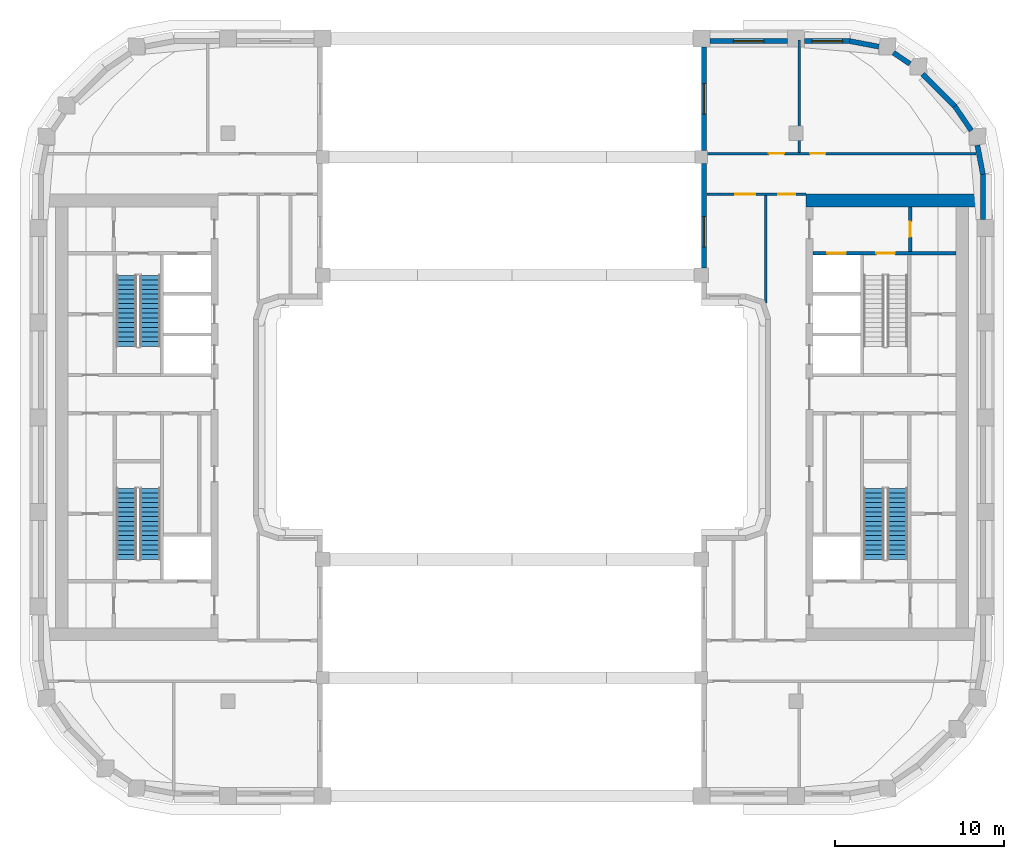
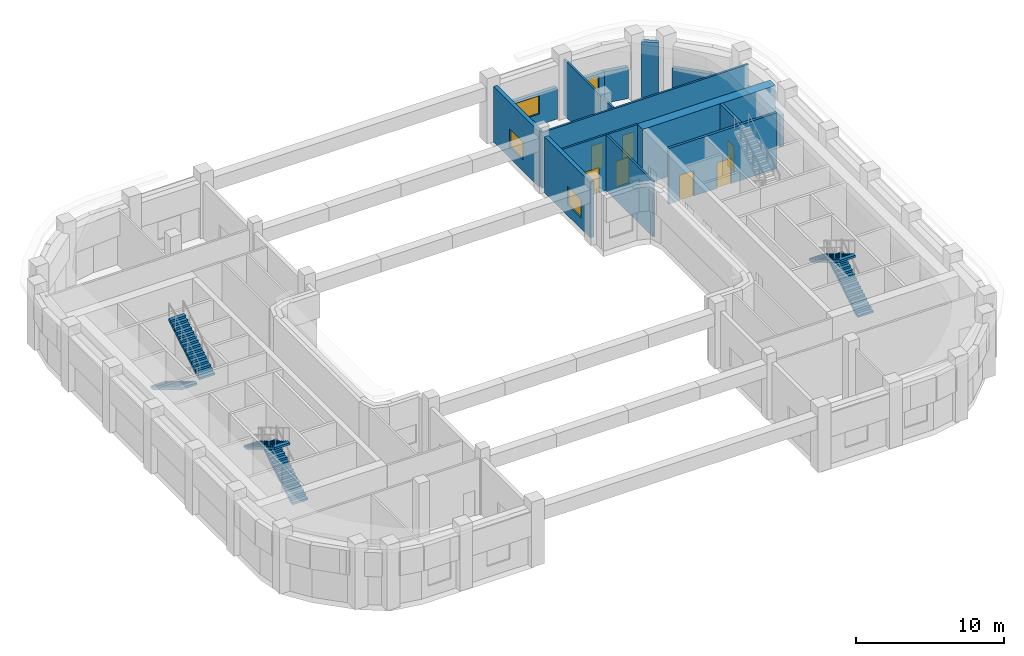
# One storey, part 6 of 14: 17 walls, 7 doors, 6 stair flights, 4 windows, 11 openings, 3 elements without a shape of their own.
"""IFC4 building model written with IfcOpenShell, lengths in metres."""

import ifcopenshell
import ifcopenshell.guid

model = None  # the IFC model being written
_history = None  # IfcOwnerHistory: only IFC2X3 demands one
_inside = {}  # id of a spatial element -> (the spatial element, [elements in it])
_under = {}  # id of a project, library or spatial element -> (it, [spatial elements below it])
_declared = {}  # id of a project -> (the project, [libraries it declares])
_typed = {}  # id of a type object -> (the type object, [elements of that type])
_made_of = {}  # id of a material, layer set ... -> (it, [elements and type objects made of it])


def new_model(schema):
    """Start an empty IFC model of exactly this schema.

    Asked for "IFC4X3", IfcOpenShell would pick the latest addendum, in which some entities
    have other attributes; the version numbers below select the first issue.
    IFC2X3 requires an IfcOwnerHistory on every rooted entity: one is made here for all.
    """
    global model, _history
    if schema == "IFC4X3":
        model = ifcopenshell.file(schema_version=(4, 3, 0, 0))
    else:
        model = ifcopenshell.file(schema=schema)
    _inside.clear()
    _under.clear()
    _declared.clear()
    _typed.clear()
    _made_of.clear()
    _history = None
    if model.schema == "IFC2X3":
        org = make("IfcOrganization", Name="unknown")
        user = make(
            "IfcPersonAndOrganization",
            ThePerson=make("IfcPerson", FamilyName="unknown"),
            TheOrganization=org,
        )
        app = make(
            "IfcApplication",
            ApplicationDeveloper=org,
            Version="unknown",
            ApplicationFullName="unknown",
            ApplicationIdentifier="unknown",
        )
        _history = make(
            "IfcOwnerHistory",
            OwningUser=user,
            OwningApplication=app,
            ChangeAction="ADDED",
            CreationDate=0,
        )
    return model


def make(cls, **values):
    """One entity of the class cls with the attributes given. An attribute that is None is left unset."""
    return model.create_entity(
        cls, **{name: value for name, value in values.items() if value is not None}
    )


def rooted(cls, **values):
    """An entity with a GlobalId (a new one), such as an element, a storey or a relation."""
    return make(cls, GlobalId=ifcopenshell.guid.new(), OwnerHistory=_history, **values)


def si_unit(unit_type, name, prefix=None):
    """IfcSIUnit, for example si_unit("LENGTHUNIT", "METRE", prefix="MILLI")."""
    return make("IfcSIUnit", UnitType=unit_type, Prefix=prefix, Name=name)


def assignment(units):
    """IfcUnitAssignment: the units of a project."""
    return None if units is None else make("IfcUnitAssignment", Units=units)


def point(xyz):
    """IfcCartesianPoint."""
    return None if xyz is None else make("IfcCartesianPoint", Coordinates=xyz)


def direction(xyz):
    """IfcDirection."""
    return None if xyz is None else make("IfcDirection", DirectionRatios=xyz)


def frame(location, z_axis=None, x_axis=None):
    """IfcAxis2Placement3D, a coordinate frame: its origin and axes. An axis left out is left unset."""
    return make(
        "IfcAxis2Placement3D",
        Location=point(location),
        Axis=direction(z_axis),
        RefDirection=direction(x_axis),
    )


def frame_2d(location, x_axis=None):
    """IfcAxis2Placement2D, a coordinate frame in the plane: its origin and x axis."""
    return make(
        "IfcAxis2Placement2D", Location=point(location), RefDirection=direction(x_axis)
    )


def origin():
    """The frame at (0, 0, 0) with its axes left unset."""
    return frame((0.0, 0.0, 0.0))


def place(relative_to, where):
    """IfcLocalPlacement: puts the frame where relative to a parent placement (None: the world)."""
    return make(
        "IfcLocalPlacement", PlacementRelTo=relative_to, RelativePlacement=where
    )


def context(
    kind, dimensions, precision=None, world=None, true_north=None, identifier=None
):
    """IfcGeometricRepresentationContext, for example the 3D "Model" context."""
    return make(
        "IfcGeometricRepresentationContext",
        ContextIdentifier=identifier,
        ContextType=kind,
        CoordinateSpaceDimension=dimensions,
        Precision=precision,
        WorldCoordinateSystem=world,
        TrueNorth=true_north,
    )


def subcontext(parent, identifier, kind, view, scale=None):
    """IfcGeometricRepresentationSubContext, for example "Body" below "Model"."""
    return make(
        "IfcGeometricRepresentationSubContext",
        ContextIdentifier=identifier,
        ContextType=kind,
        ParentContext=parent,
        TargetScale=scale,
        TargetView=view,
    )


def project(units=None, contexts=None):
    """IfcProject with its units and contexts."""
    return rooted(
        "IfcProject",
        Name="project",
        RepresentationContexts=contexts,
        UnitsInContext=assignment(units),
    )


def spatial(cls, under=None, at=None, **own):
    """A site, building, storey or space (cls), placed at a placement, below another one or the project."""
    s = rooted(cls, ObjectPlacement=at, **own)
    if under is not None:
        _under.setdefault(under.id(), (under, []))[1].append(s)
    return s


def polyline(points):
    """IfcPolyline through the points."""
    return make("IfcPolyline", Points=[point(p) for p in points])


def profile(cls, at=None, kind="AREA", **sizes):
    """A parametric profile (cls). Its sizes go by their IFC names, for example OverallWidth=200.0."""
    return make(cls, ProfileType=kind, Position=at, **sizes)


def rectangle(**sizes):
    """IfcRectangleProfileDef."""
    return profile("IfcRectangleProfileDef", **sizes)


def outline(outer, holes=None, kind="AREA"):
    """IfcArbitraryClosedProfileDef: a profile drawn as a closed curve; with holes, ...WithVoids."""
    if holes is None:
        return make("IfcArbitraryClosedProfileDef", ProfileType=kind, OuterCurve=outer)
    return make(
        "IfcArbitraryProfileDefWithVoids",
        ProfileType=kind,
        OuterCurve=outer,
        InnerCurves=holes,
    )


def extrude(swept, where, along, depth):
    """IfcExtrudedAreaSolid: the profile swept, set in the frame where, extruded along a direction by depth."""
    return make(
        "IfcExtrudedAreaSolid",
        SweptArea=swept,
        Position=where,
        ExtrudedDirection=direction(along),
        Depth=depth,
    )


def shape(context_of_items, identifier, shape_type, items):
    """IfcShapeRepresentation: the items that make up one representation, for example the "Body"."""
    return make(
        "IfcShapeRepresentation",
        ContextOfItems=context_of_items,
        RepresentationIdentifier=identifier,
        RepresentationType=shape_type,
        Items=items,
    )


def material(Name=None, Category=None):
    """IfcMaterial."""
    return make("IfcMaterial", Name=Name, Category=Category)


def layer(
    of_material, thickness, ventilated=None, Name=None, Category=None, Priority=None
):
    """IfcMaterialLayer: one layer of a wall or slab, of a material (None: an air gap)."""
    return make(
        "IfcMaterialLayer",
        Material=of_material,
        LayerThickness=thickness,
        IsVentilated=ventilated,
        Name=Name,
        Category=Category,
        Priority=Priority,
    )


def layer_set(layers, Name=None):
    """IfcMaterialLayerSet."""
    return make("IfcMaterialLayerSet", MaterialLayers=layers, LayerSetName=Name)


def made_of(thing, what):
    """Note that an element or type object is made of a material, layer set ...; save() writes the relation."""
    if what is not None:
        _made_of.setdefault(what.id(), (what, []))[1].append(thing)
    return thing


def type_object(cls, material=None, **own):
    """A type object (cls), such as IfcWallType, which elements share."""
    return made_of(rooted(cls, **own), material)


def element(
    cls,
    number,
    at=None,
    inside=None,
    cuts=None,
    type_object=None,
    material=None,
    context=None,
    identifier="Body",
    shape_type=None,
    held_by="IfcProductDefinitionShape",
    body=None,
    shapes=None,
    **own,
):
    """One element of the class cls, such as IfcWall. Its Tag is "e" and its number.

    at: its placement. inside: the storey or other place that contains it. cuts: it is an
    opening in that element (IfcRelVoidsElement). A single representation is given by context,
    identifier, shape_type and body (its items); several are given by shapes. held_by: the class
    of the entity that holds the representations. save() writes the other relations.
    """
    e = rooted(cls, Tag="e%d" % number, ObjectPlacement=at, **own)
    if body is not None:
        shapes = [shape(context, identifier, shape_type, body)]
    if shapes is not None:
        e.Representation = make(held_by, Representations=shapes)
    if inside is not None:
        _inside.setdefault(inside.id(), (inside, []))[1].append(e)
    if cuts is not None:
        rooted(
            "IfcRelVoidsElement", RelatingBuildingElement=cuts, RelatedOpeningElement=e
        )
    if type_object is not None:
        _typed.setdefault(type_object.id(), (type_object, []))[1].append(e)
    return made_of(e, material)


def fill(opening, filler):
    """IfcRelFillsElement: the door or window that sits in an opening."""
    return rooted(
        "IfcRelFillsElement",
        RelatingOpeningElement=opening,
        RelatedBuildingElement=filler,
    )


def aggregate(whole, parts):
    """IfcRelAggregates: a whole, such as a stair, and the parts it consists of."""
    return rooted("IfcRelAggregates", RelatingObject=whole, RelatedObjects=parts)


def save(model, path):
    """Write the relations noted so far, then the file.

    IfcRelAggregates (storeys below a building ...), IfcRelContainedInSpatialStructure (elements
    in a storey), IfcRelDefinesByType, IfcRelAssociatesMaterial and IfcRelDeclares: one each for
    every whole, place, type object, material and project.
    """
    for whole, parts in _under.values():
        aggregate(whole, parts)
    for where, things in _inside.values():
        rooted(
            "IfcRelContainedInSpatialStructure",
            RelatedElements=things,
            RelatingStructure=where,
        )
    for kind, things in _typed.values():
        rooted("IfcRelDefinesByType", RelatedObjects=things, RelatingType=kind)
    for what, things in _made_of.values():
        rooted("IfcRelAssociatesMaterial", RelatedObjects=things, RelatingMaterial=what)
    for by, libraries in _declared.values():
        rooted("IfcRelDeclares", RelatingContext=by, RelatedDefinitions=libraries)
    model.write(path)


model = new_model("IFC4")

# Units and contexts
model_context = context("Model", 3, precision=1e-05, world=origin(), true_north=direction((0.0, 1.0)))
body_context = subcontext(model_context, "Body", "Model", "MODEL_VIEW")
ifc_project = project(units=[si_unit("LENGTHUNIT", "METRE"), si_unit("AREAUNIT", "SQUARE_METRE"), si_unit("VOLUMEUNIT", "CUBIC_METRE"), si_unit("PLANEANGLEUNIT", "RADIAN"), si_unit("MASSUNIT", "GRAM", prefix="KILO")], contexts=[model_context])

# Site, building, storey
site_placement = place(None, origin())
site = spatial("IfcSite", under=ifc_project, at=site_placement, CompositionType="ELEMENT")
building_placement = place(site_placement, origin())
building = spatial("IfcBuilding", under=site, at=building_placement, Name="Kiln Ring Residences", CompositionType="ELEMENT")
storey_placement = place(building_placement, frame((0.0, 0.0, 183.5)))
storey = spatial("IfcBuildingStorey", under=building, at=storey_placement, Name="L47", CompositionType="ELEMENT", Elevation=183.5)

# Wall, opening, door
ifc_material_1 = material(Name="Gypsum board on steel studs", Category="steel")
ifc_layer_1 = layer(ifc_material_1, 0.199951171875)
ifc_layer_set_1 = layer_set([ifc_layer_1], Name="CORE-PARTITION-200")
wall_type_1 = type_object("IfcWallType", Name="CORE-PARTITION-200", PredefinedType="PARTITIONING", material=ifc_layer_set_1)
wall_1_placement = place(storey_placement, frame((23.550048828125, 9.800048828125, 0.0), z_axis=(0.0, 0.0, 1.0), x_axis=(0.0, 1.0, 0.0)))
wall_1 = element("IfcWall", 1, at=wall_1_placement, inside=storey, type_object=wall_type_1, Name="Core partition east L47 4", PredefinedType="PARTITIONING", context=body_context, shape_type="SweptSolid", body=[
    extrude(rectangle(XDim=2.64990234375, YDim=0.199951171875, at=frame_2d((1.324951171875, 0.0))), origin(), (0.0, 0.0, 1.0), 4.60009765625),
])
opening_1_placement = place(wall_1_placement, frame((0.875, 0.0, 0.0)))
opening_1 = element("IfcOpeningElement", 2, at=opening_1_placement, cuts=wall_1, Name="Opening L47-CE09", PredefinedType="OPENING", context=body_context, shape_type="SweptSolid", body=[
    extrude(rectangle(XDim=0.89990234375, YDim=2.10009765625, at=frame_2d((0.449951171875, 1.050048828125))), frame((0.0, 0.10986328125, 0.0), z_axis=(0.0, -1.0, 0.0), x_axis=(1.0, 0.0, 0.0)), (0.0, 0.0, 1.0), 0.219970703125),
])
ifc_material_2 = material(Name="Steel door leaf", Category="steel")
door_type_1 = type_object("IfcDoorType", Name="CORE-DOOR-ROOM", OperationType="SINGLE_SWING_LEFT", PredefinedType="DOOR", material=ifc_material_2)
door_1_placement = place(opening_1_placement, origin())
door_1 = element("IfcDoor", 3, at=door_1_placement, inside=storey, type_object=door_type_1, Name="Fire riser room L47-CE09", OperationType="SINGLE_SWING_RIGHT", OverallHeight=2.10009765625, OverallWidth=0.89990234375, PredefinedType="DOOR", context=body_context, shape_type="SweptSolid", body=[
    extrude(rectangle(XDim=0.89990234375, YDim=2.10009765625, at=frame_2d((0.449951171875, 1.050048828125))), frame((0.0, 0.02490234375, 0.0), z_axis=(0.0, -1.0, 0.0), x_axis=(1.0, 0.0, 0.0)), (0.0, 0.0, 1.0), 0.050048828125),
])
fill(opening_1, door_1)

# Wall, openings, doors
ifc_material_3 = material(Name="Concrete C40/50", Category="concrete")
ifc_layer_2 = layer(ifc_material_3, 0.199951171875)
ifc_layer_set_2 = layer_set([ifc_layer_2], Name="CORE-WALL-RC200")
wall_type_2 = type_object("IfcWallType", Name="CORE-WALL-RC200", PredefinedType="SHEAR", material=ifc_layer_set_2)
wall_2_placement = place(storey_placement, frame((17.800048828125, 9.699951171875, 0.0), z_axis=(0.0, 0.0, 1.0), x_axis=(1.0, 0.0, 0.0)))
wall_2 = element("IfcWall", 4, at=wall_2_placement, inside=storey, type_object=wall_type_2, Name="Core wall east L47 9", PredefinedType="SHEAR", context=body_context, shape_type="SweptSolid", body=[
    extrude(rectangle(XDim=8.449951171875, YDim=0.199951171875, at=frame_2d((4.22509765625, 0.0))), origin(), (0.0, 0.0, 1.0), 4.60009765625),
])
opening_2_placement = place(wall_2_placement, frame((0.85009765625, 0.0, 0.0)))
opening_2 = element("IfcOpeningElement", 5, at=opening_2_placement, cuts=wall_2, Name="Opening L47-CE06", PredefinedType="OPENING", context=body_context, shape_type="SweptSolid", body=[
    extrude(rectangle(XDim=1.10009765625, YDim=2.10009765625, at=frame_2d((0.550048828125, 1.050048828125))), frame((0.0, 0.10986328125, 0.0), z_axis=(0.0, -1.0, 0.0), x_axis=(1.0, 0.0, 0.0)), (0.0, 0.0, 1.0), 0.219970703125),
])
opening_3_placement = place(wall_2_placement, frame((3.75, 0.0, 0.0)))
opening_3 = element("IfcOpeningElement", 6, at=opening_3_placement, cuts=wall_2, Name="Opening L47-CE11", PredefinedType="OPENING", context=body_context, shape_type="SweptSolid", body=[
    extrude(rectangle(XDim=1.10009765625, YDim=2.10009765625, at=frame_2d((0.550048828125, 1.050048828125))), frame((0.0, 0.10986328125, 0.0), z_axis=(0.0, -1.0, 0.0), x_axis=(1.0, 0.0, 0.0)), (0.0, 0.0, 1.0), 0.219970703125),
])
ifc_material_4 = material(Name="Steel door leaf", Category="steel")
door_type_2 = type_object("IfcDoorType", Name="CORE-DOOR-LD", OperationType="DOUBLE_DOOR_SLIDING", PredefinedType="DOOR", material=ifc_material_4)
door_2_placement = place(opening_2_placement, origin())
door_2 = element("IfcDoor", 7, at=door_2_placement, inside=storey, type_object=door_type_2, Name="LD E-FF L47-CE06", OperationType="DOUBLE_DOOR_SLIDING", OverallHeight=2.10009765625, OverallWidth=1.10009765625, PredefinedType="DOOR", context=body_context, shape_type="SweptSolid", body=[
    extrude(rectangle(XDim=1.10009765625, YDim=2.10009765625, at=frame_2d((0.550048828125, 1.050048828125))), frame((0.0, 0.02490234375, 0.0), z_axis=(0.0, -1.0, 0.0), x_axis=(1.0, 0.0, 0.0)), (0.0, 0.0, 1.0), 0.050048828125),
])
fill(opening_2, door_2)
ifc_material_5 = material(Name="Steel door leaf", Category="steel")
door_type_3 = type_object("IfcDoorType", Name="CORE-DOOR-STAIR", OperationType="SINGLE_SWING_LEFT", PredefinedType="DOOR", material=ifc_material_5)
door_3_placement = place(opening_3_placement, origin())
door_3 = element("IfcDoor", 8, at=door_3_placement, inside=storey, type_object=door_type_3, Name="Stair E-STN L47-CE11", OperationType="SINGLE_SWING_RIGHT", OverallHeight=2.10009765625, OverallWidth=1.10009765625, PredefinedType="DOOR", context=body_context, shape_type="SweptSolid", body=[
    extrude(rectangle(XDim=1.10009765625, YDim=2.10009765625, at=frame_2d((0.550048828125, 1.050048828125))), frame((0.0, 0.02490234375, 0.0), z_axis=(0.0, -1.0, 0.0), x_axis=(1.0, 0.0, 0.0)), (0.0, 0.0, 1.0), 0.050048828125),
])
fill(opening_3, door_3)

# Walls
ifc_material_6 = material(Name="Concrete C60/75", Category="concrete")
ifc_layer_3 = layer(ifc_material_6, 0.75)
ifc_layer_set_3 = layer_set([ifc_layer_3], Name="CORE-WALL-RC750")
wall_type_3 = type_object("IfcWallType", Name="CORE-WALL-RC750", PredefinedType="SHEAR", material=ifc_layer_set_3)
wall_3_placement = place(storey_placement, frame((17.39990234375, 12.824951171875, 0.0), z_axis=(0.0, 0.0, 1.0), x_axis=(1.0, 0.0, 0.0)))
element("IfcWall", 9, at=wall_3_placement, inside=storey, type_object=wall_type_3, Name="Core wall east L47 4", PredefinedType="SHEAR", context=body_context, shape_type="SweptSolid", body=[
    extrude(rectangle(XDim=10.400146484375, YDim=0.75, at=frame_2d((5.2001953125, 0.0))), origin(), (0.0, 0.0, 1.0), 4.60009765625),
])
ifc_material_7 = material(Name="Brick masonry, dark clay brick", Category="masonry")
ifc_layer_4 = layer(ifc_material_7, 0.300048828125)
ifc_layer_set_4 = layer_set([ifc_layer_4], Name="EW-300 BRICK WALL")
wall_type_4 = type_object("IfcWallType", Name="EW-300 BRICK WALL", PredefinedType="SOLIDWALL", material=ifc_layer_set_4)
wall_4_placement = place(storey_placement, frame((27.85009765625, 11.699951171875, 0.0), z_axis=(0.0, 0.0, 1.0), x_axis=(0.0, 1.0, 0.0)))
element("IfcWall", 10, at=wall_4_placement, inside=storey, type_object=wall_type_4, Name="Facade wall L47 46", PredefinedType="SOLIDWALL", context=body_context, shape_type="SweptSolid", body=[
    extrude(rectangle(XDim=2.699951171875, YDim=0.300048828125, at=frame_2d((1.35009765625, 0.0))), origin(), (0.0, 0.0, 1.0), 2.60009765625),
])
for number, where, z_axis, x_axis, name in (
    (11, (27.8525390625, 14.371826171875, 0.0), (0.0, 0.0, 1.0), (-0.187259034321, 0.982310569049, 0.0), "Facade wall L47 47"),
    (12, (27.166015625, 16.96044921875, 0.0), (0.0, 0.0, 1.0), (-0.562089443061, 0.82707645233, 0.0), "Facade wall L47 48"),
):
    element("IfcWall", number, at=place(storey_placement, frame(where, z_axis=z_axis, x_axis=x_axis)), inside=storey, type_object=wall_type_4, Name=name, PredefinedType="SOLIDWALL", context=body_context, shape_type="SweptSolid", body=[
        extrude(rectangle(XDim=1.756103515625, YDim=0.300048828125, at=frame_2d((0.8779296875, 0.0))), origin(), (0.0, 0.0, 1.0), 2.60009765625),
    ])
wall_5_placement = place(storey_placement, frame((26.19677734375, 18.390869140625, 0.0), z_axis=(0.0, 0.0, 1.0), x_axis=(-0.707061571201, 0.707151988282, 0.0)))
element("IfcWall", 13, at=wall_5_placement, inside=storey, type_object=wall_type_4, Name="Facade wall L47 49", PredefinedType="SOLIDWALL", context=body_context, shape_type="SweptSolid", body=[
    extrude(rectangle(XDim=2.7001953125, YDim=0.300048828125, at=frame_2d((1.35009765625, 0.0))), origin(), (0.0, 0.0, 1.0), 2.60009765625),
])
wall_6_placement = place(storey_placement, frame((23.533935546875, 20.904296875, 0.0), z_axis=(0.0, 0.0, 1.0), x_axis=(-0.827103906596, 0.56204904385, 0.0)))
element("IfcWall", 14, at=wall_6_placement, inside=storey, type_object=wall_type_4, Name="Facade wall L47 50", PredefinedType="SOLIDWALL", context=body_context, shape_type="SweptSolid", body=[
    extrude(rectangle(XDim=1.17724609375, YDim=0.300048828125, at=frame_2d((0.588623046875, 0.0))), origin(), (0.0, 0.0, 1.0), 4.60009765625),
])
wall_7_placement = place(storey_placement, frame((21.697021484375, 21.923583984375, 0.0), z_axis=(0.0, 0.0, 1.0), x_axis=(-0.982284988433, 0.187393173565, 0.0)))
element("IfcWall", 15, at=wall_7_placement, inside=storey, type_object=wall_type_4, Name="Facade wall L47 51", PredefinedType="SOLIDWALL", context=body_context, shape_type="SweptSolid", body=[
    extrude(rectangle(XDim=1.756103515625, YDim=0.300048828125, at=frame_2d((0.8779296875, 0.0))), origin(), (0.0, 0.0, 1.0), 2.60009765625),
])

# Wall, opening, window
wall_8_placement = place(storey_placement, frame((20.0, 22.25, 0.0), z_axis=(0.0, 0.0, 1.0), x_axis=(-1.0, 0.0, 0.0)))
wall_8 = element("IfcWall", 16, at=wall_8_placement, inside=storey, type_object=wall_type_4, Name="Facade wall L47 52", PredefinedType="SOLIDWALL", context=body_context, shape_type="SweptSolid", body=[
    extrude(rectangle(XDim=2.699951171875, YDim=0.300048828125, at=frame_2d((1.35009765625, 0.0))), origin(), (0.0, 0.0, 1.0), 2.60009765625),
])
opening_4_placement = place(wall_8_placement, frame((0.449951171875, 0.0, 0.89990234375)))
opening_4 = element("IfcOpeningElement", 17, at=opening_4_placement, cuts=wall_8, Name="Opening LV1", PredefinedType="OPENING", context=body_context, shape_type="SweptSolid", body=[
    extrude(rectangle(XDim=1.800048828125, YDim=1.5, at=frame_2d((0.89990234375, 0.75))), frame((0.0, 0.159912109375, 0.0), z_axis=(0.0, -1.0, 0.0), x_axis=(1.0, 0.0, 0.0)), (0.0, 0.0, 1.0), 0.320068359375),
])
ifc_material_8 = material(Name="Aluminium louvre", Category="aluminium")
window_type = type_object("IfcWindowType", Name="LOUVRED VENT 1800 x 1500", PartitioningType="SINGLE_PANEL", PredefinedType="WINDOW", material=ifc_material_8)
window_1_placement = place(opening_4_placement, origin())
window_1 = element("IfcWindow", 18, at=window_1_placement, inside=storey, type_object=window_type, Name="Louvred vent L47 13", OverallHeight=1.5, OverallWidth=1.800048828125, PartitioningType="SINGLE_PANEL", PredefinedType="WINDOW", context=body_context, shape_type="SweptSolid", body=[
    extrude(rectangle(XDim=1.800048828125, YDim=1.5, at=frame_2d((0.89990234375, 0.75))), frame((0.0, 0.030029296875, 0.0), z_axis=(0.0, -1.0, 0.0), x_axis=(1.0, 0.0, 0.0)), (0.0, 0.0, 1.0), 0.06005859375),
])
fill(opening_4, window_1)

wall_9_placement = place(storey_placement, frame((16.300048828125, 22.25, 0.0), z_axis=(0.0, 0.0, 1.0), x_axis=(-1.0, 0.0, 0.0)))
wall_9 = element("IfcWall", 19, at=wall_9_placement, inside=storey, type_object=wall_type_4, Name="Facade wall L47 53", PredefinedType="SOLIDWALL", context=body_context, shape_type="SweptSolid", body=[
    extrude(rectangle(XDim=4.60009765625, YDim=0.300048828125, at=frame_2d((2.300048828125, 0.0))), origin(), (0.0, 0.0, 1.0), 2.60009765625),
])
opening_5_placement = place(wall_9_placement, frame((1.39990234375, 0.0, 0.89990234375)))
opening_5 = element("IfcOpeningElement", 20, at=opening_5_placement, cuts=wall_9, Name="Opening LV1", PredefinedType="OPENING", context=body_context, shape_type="SweptSolid", body=[
    extrude(rectangle(XDim=1.800048828125, YDim=1.5, at=frame_2d((0.89990234375, 0.75))), frame((0.0, 0.159912109375, 0.0), z_axis=(0.0, -1.0, 0.0), x_axis=(1.0, 0.0, 0.0)), (0.0, 0.0, 1.0), 0.320068359375),
])
window_2_placement = place(opening_5_placement, origin())
window_2 = element("IfcWindow", 21, at=window_2_placement, inside=storey, type_object=window_type, Name="Louvred vent L47 14", OverallHeight=1.5, OverallWidth=1.800048828125, PartitioningType="SINGLE_PANEL", PredefinedType="WINDOW", context=body_context, shape_type="SweptSolid", body=[
    extrude(rectangle(XDim=1.800048828125, YDim=1.5, at=frame_2d((0.89990234375, 0.75))), frame((0.0, 0.030029296875, 0.0), z_axis=(0.0, -1.0, 0.0), x_axis=(1.0, 0.0, 0.0)), (0.0, 0.0, 1.0), 0.06005859375),
])
fill(opening_5, window_2)

wall_10_placement = place(storey_placement, frame((11.35009765625, 21.89990234375, 0.0), z_axis=(0.0, 0.0, 1.0), x_axis=(0.0, -1.0, 0.0)))
wall_10 = element("IfcWall", 22, at=wall_10_placement, inside=storey, type_object=wall_type_4, Name="Facade wall L47 54", PredefinedType="SOLIDWALL", context=body_context, shape_type="SweptSolid", body=[
    extrude(rectangle(XDim=6.125, YDim=0.300048828125, at=frame_2d((3.0625, 0.0))), origin(), (0.0, 0.0, 1.0), 4.60009765625),
])
opening_6_placement = place(wall_10_placement, frame((2.16259765625, 0.0, 0.89990234375)))
opening_6 = element("IfcOpeningElement", 23, at=opening_6_placement, cuts=wall_10, Name="Opening LV1", PredefinedType="OPENING", context=body_context, shape_type="SweptSolid", body=[
    extrude(rectangle(XDim=1.800048828125, YDim=1.5, at=frame_2d((0.89990234375, 0.75))), frame((0.0, 0.159912109375, 0.0), z_axis=(0.0, -1.0, 0.0), x_axis=(1.0, 0.0, 0.0)), (0.0, 0.0, 1.0), 0.320068359375),
])
window_3_placement = place(opening_6_placement, origin())
window_3 = element("IfcWindow", 24, at=window_3_placement, inside=storey, type_object=window_type, Name="Louvred vent L47 15", OverallHeight=1.5, OverallWidth=1.800048828125, PartitioningType="SINGLE_PANEL", PredefinedType="WINDOW", context=body_context, shape_type="SweptSolid", body=[
    extrude(rectangle(XDim=1.800048828125, YDim=1.5, at=frame_2d((0.89990234375, 0.75))), frame((0.0, 0.030029296875, 0.0), z_axis=(0.0, -1.0, 0.0), x_axis=(1.0, 0.0, 0.0)), (0.0, 0.0, 1.0), 0.06005859375),
])
fill(opening_6, window_3)

wall_11_placement = place(storey_placement, frame((11.35009765625, 15.02490234375, 0.0), z_axis=(0.0, 0.0, 1.0), x_axis=(0.0, -1.0, 0.0)))
wall_11 = element("IfcWall", 25, at=wall_11_placement, inside=storey, type_object=wall_type_4, Name="Facade wall L47 55", PredefinedType="SOLIDWALL", context=body_context, shape_type="SweptSolid", body=[
    extrude(rectangle(XDim=6.199951171875, YDim=0.300048828125, at=frame_2d((3.10009765625, 0.0))), origin(), (0.0, 0.0, 1.0), 4.60009765625),
])
opening_7_placement = place(wall_11_placement, frame((3.14990234375, 0.0, 0.89990234375)))
opening_7 = element("IfcOpeningElement", 26, at=opening_7_placement, cuts=wall_11, Name="Opening LV1", PredefinedType="OPENING", context=body_context, shape_type="SweptSolid", body=[
    extrude(rectangle(XDim=1.800048828125, YDim=1.5, at=frame_2d((0.89990234375, 0.75))), frame((0.0, 0.159912109375, 0.0), z_axis=(0.0, -1.0, 0.0), x_axis=(1.0, 0.0, 0.0)), (0.0, 0.0, 1.0), 0.320068359375),
])
window_4_placement = place(opening_7_placement, origin())
window_4 = element("IfcWindow", 27, at=window_4_placement, inside=storey, type_object=window_type, Name="Louvred vent L47 16", OverallHeight=1.5, OverallWidth=1.800048828125, PartitioningType="SINGLE_PANEL", PredefinedType="WINDOW", context=body_context, shape_type="SweptSolid", body=[
    extrude(rectangle(XDim=1.800048828125, YDim=1.5, at=frame_2d((0.89990234375, 0.75))), frame((0.0, 0.030029296875, 0.0), z_axis=(0.0, -1.0, 0.0), x_axis=(1.0, 0.0, 0.0)), (0.0, 0.0, 1.0), 0.06005859375),
])
fill(opening_7, window_4)

# Wall, openings, doors
ifc_material_9 = material(Name="Brick masonry partition", Category="masonry")
ifc_layer_5 = layer(ifc_material_9, 0.14990234375)
ifc_layer_set_5 = layer_set([ifc_layer_5], Name="PARTITION-150-ei60")
wall_type_5 = type_object("IfcWallType", Name="PARTITION-150-ei60", PredefinedType="PARTITIONING", material=ifc_layer_set_5)
wall_12_placement = place(storey_placement, frame((11.52001953125, 13.199951171875, 0.0), z_axis=(0.0, 0.0, 1.0), x_axis=(1.0, 0.0, 0.0)))
wall_12 = element("IfcWall", 28, at=wall_12_placement, inside=storey, type_object=wall_type_5, Name="Partition 005", PredefinedType="PARTITIONING", context=body_context, shape_type="SweptSolid", body=[
    extrude(rectangle(XDim=5.8798828125, YDim=0.14990234375, at=frame_2d((2.93994140625, 0.0))), origin(), (0.0, 0.0, 1.0), 4.60009765625),
])
opening_8_placement = place(wall_12_placement, frame((4.22998046875, 0.0, 0.0)))
opening_8 = element("IfcOpeningElement", 29, at=opening_8_placement, cuts=wall_12, Name="Opening L47-D001", PredefinedType="OPENING", context=body_context, shape_type="SweptSolid", body=[
    extrude(rectangle(XDim=1.0, YDim=2.10009765625, at=frame_2d((0.5, 1.050048828125))), frame((0.0, 0.0849609375, 0.0), z_axis=(0.0, -1.0, 0.0), x_axis=(1.0, 0.0, 0.0)), (0.0, 0.0, 1.0), 0.169921875),
])
opening_9_placement = place(wall_12_placement, frame((1.669921875, 0.0, 0.0)))
opening_9 = element("IfcOpeningElement", 30, at=opening_9_placement, cuts=wall_12, Name="Opening L47-D002", PredefinedType="OPENING", context=body_context, shape_type="SweptSolid", body=[
    extrude(rectangle(XDim=1.199951171875, YDim=2.10009765625, at=frame_2d((0.60009765625, 1.050048828125))), frame((0.0, 0.0849609375, 0.0), z_axis=(0.0, -1.0, 0.0), x_axis=(1.0, 0.0, 0.0)), (0.0, 0.0, 1.0), 0.169921875),
])
ifc_material_10 = material(Name="Steel faced fire door leaf", Category="steel")
door_type_4 = type_object("IfcDoorType", Name="FLAT-DOOR-1000-FR", OperationType="SINGLE_SWING_LEFT", PredefinedType="DOOR", material=ifc_material_10)
door_4_placement = place(opening_8_placement, origin())
door_4 = element("IfcDoor", 31, at=door_4_placement, inside=storey, type_object=door_type_4, Name="Door L47-D001", OperationType="SINGLE_SWING_RIGHT", OverallHeight=2.10009765625, OverallWidth=1.0, PredefinedType="DOOR", context=body_context, shape_type="SweptSolid", body=[
    extrude(rectangle(XDim=1.0, YDim=2.10009765625, at=frame_2d((0.5, 1.050048828125))), frame((0.0, 0.02490234375, 0.0), z_axis=(0.0, -1.0, 0.0), x_axis=(1.0, 0.0, 0.0)), (0.0, 0.0, 1.0), 0.050048828125),
])
fill(opening_8, door_4)
ifc_material_11 = material(Name="Steel faced fire door leaf", Category="steel")
door_type_5 = type_object("IfcDoorType", Name="FLAT-DOOR-1200-FR", OperationType="SINGLE_SWING_LEFT", PredefinedType="DOOR", material=ifc_material_11)
door_5_placement = place(opening_9_placement, origin())
door_5 = element("IfcDoor", 32, at=door_5_placement, inside=storey, type_object=door_type_5, Name="Door L47-D002", OperationType="SINGLE_SWING_RIGHT", OverallHeight=2.10009765625, OverallWidth=1.199951171875, PredefinedType="DOOR", context=body_context, shape_type="SweptSolid", body=[
    extrude(rectangle(XDim=1.199951171875, YDim=2.10009765625, at=frame_2d((0.60009765625, 1.050048828125))), frame((0.0, 0.02490234375, 0.0), z_axis=(0.0, -1.0, 0.0), x_axis=(1.0, 0.0, 0.0)), (0.0, 0.0, 1.0), 0.050048828125),
])
fill(opening_9, door_5)

wall_13_placement = place(storey_placement, frame((11.2900390625, 15.60009765625, 0.0), z_axis=(0.0, 0.0, 1.0), x_axis=(1.0, 0.0, 0.0)))
wall_13 = element("IfcWall", 33, at=wall_13_placement, inside=storey, type_object=wall_type_5, Name="Partition 007", PredefinedType="PARTITIONING", context=body_context, shape_type="SweptSolid", body=[
    extrude(rectangle(XDim=16.15576171875, YDim=0.14990234375, at=frame_2d((8.077880859375, 0.0))), origin(), (0.0, 0.0, 1.0), 4.60009765625),
])
opening_10_placement = place(wall_13_placement, frame((3.909912109375, 0.0, 0.0)))
opening_10 = element("IfcOpeningElement", 34, at=opening_10_placement, cuts=wall_13, Name="Opening L47-D003", PredefinedType="OPENING", context=body_context, shape_type="SweptSolid", body=[
    extrude(rectangle(XDim=0.89990234375, YDim=2.10009765625, at=frame_2d((0.449951171875, 1.050048828125))), frame((0.0, 0.0849609375, 0.0), z_axis=(0.0, -1.0, 0.0), x_axis=(1.0, 0.0, 0.0)), (0.0, 0.0, 1.0), 0.169921875),
])
opening_11_placement = place(wall_13_placement, frame((6.339111328125, 0.0, 0.0)))
opening_11 = element("IfcOpeningElement", 35, at=opening_11_placement, cuts=wall_13, Name="Opening L47-D004", PredefinedType="OPENING", context=body_context, shape_type="SweptSolid", body=[
    extrude(rectangle(XDim=0.89990234375, YDim=2.10009765625, at=frame_2d((0.449951171875, 1.050048828125))), frame((0.0, 0.0849609375, 0.0), z_axis=(0.0, -1.0, 0.0), x_axis=(1.0, 0.0, 0.0)), (0.0, 0.0, 1.0), 0.169921875),
])
ifc_material_12 = material(Name="Steel faced fire door leaf", Category="steel")
door_type_6 = type_object("IfcDoorType", Name="FLAT-DOOR-900-FR", OperationType="SINGLE_SWING_LEFT", PredefinedType="DOOR", material=ifc_material_12)
door_6_placement = place(opening_10_placement, origin())
door_6 = element("IfcDoor", 36, at=door_6_placement, inside=storey, type_object=door_type_6, Name="Door L47-D003", OperationType="SINGLE_SWING_LEFT", OverallHeight=2.10009765625, OverallWidth=0.89990234375, PredefinedType="DOOR", context=body_context, shape_type="SweptSolid", body=[
    extrude(rectangle(XDim=0.89990234375, YDim=2.10009765625, at=frame_2d((0.449951171875, 1.050048828125))), frame((0.0, 0.02490234375, 0.0), z_axis=(0.0, -1.0, 0.0), x_axis=(1.0, 0.0, 0.0)), (0.0, 0.0, 1.0), 0.050048828125),
])
fill(opening_10, door_6)
door_7_placement = place(opening_11_placement, origin())
door_7 = element("IfcDoor", 37, at=door_7_placement, inside=storey, type_object=door_type_6, Name="Door L47-D004", OperationType="SINGLE_SWING_RIGHT", OverallHeight=2.10009765625, OverallWidth=0.89990234375, PredefinedType="DOOR", context=body_context, shape_type="SweptSolid", body=[
    extrude(rectangle(XDim=0.89990234375, YDim=2.10009765625, at=frame_2d((0.449951171875, 1.050048828125))), frame((0.0, 0.02490234375, 0.0), z_axis=(0.0, -1.0, 0.0), x_axis=(1.0, 0.0, 0.0)), (0.0, 0.0, 1.0), 0.050048828125),
])
fill(opening_11, door_7)

# Walls
wall_14_placement = place(storey_placement, frame((15.0, 6.768798828125, 0.0), z_axis=(0.0, 0.0, 1.0), x_axis=(0.0, 1.0, 0.0)))
element("IfcWall", 38, at=wall_14_placement, inside=storey, type_object=wall_type_5, Name="Partition 015", PredefinedType="PARTITIONING", context=body_context, shape_type="SweptSolid", body=[
    extrude(rectangle(XDim=6.356201171875, YDim=0.14990234375, at=frame_2d((3.17822265625, 0.0))), origin(), (0.0, 0.0, 1.0), 4.60009765625),
])
wall_15_placement = place(storey_placement, frame((17.0, 15.675048828125, 0.0), z_axis=(0.0, 0.0, 1.0), x_axis=(0.0, 1.0, 0.0)))
element("IfcWall", 39, at=wall_15_placement, inside=storey, type_object=wall_type_5, Name="Partition 017", PredefinedType="PARTITIONING", context=body_context, shape_type="SweptSolid", body=[
    extrude(rectangle(XDim=6.635009765625, YDim=0.14990234375, at=frame_2d((3.3173828125, 0.0))), origin(), (0.0, 0.0, 1.0), 4.60009765625),
])

# Stair, stair flights
ifc_material_13 = material(Name="Concrete C40/50", Category="concrete")
stair_type = type_object("IfcStairType", Name="CORE-STAIR", PredefinedType="HALF_TURN_STAIR", material=ifc_material_13)
placement = place(storey_placement, origin())
stair_1 = element("IfcStair", 40, at=placement, inside=storey, type_object=stair_type, Name="L47 stair W-STN", PredefinedType="HALF_TURN_STAIR")
ifc_material_14 = material(Name="Concrete C40/50", Category="concrete")
stair_flight_type = type_object("IfcStairFlightType", Name="CORE-STAIR-FLIGHT", PredefinedType="STRAIGHT", material=ifc_material_14)
stair_flight_1_placement = place(storey_placement, frame((-22.800048828125, 8.39990234375, 0.0), z_axis=(0.0, 0.0, 1.0), x_axis=(0.0, -1.0, 0.0)))
stair_flight_1 = element("IfcStairFlight", 41, at=stair_flight_1_placement, type_object=stair_flight_type, Name="W-STN flight 1", NumberOfRisers=16, NumberOfTreads=15, PredefinedType="STRAIGHT", RiserHeight=0.16875, TreadLength=0.28, context=body_context, shape_type="SweptSolid", body=[
    extrude(outline(polyline([(0.0, 0.0), (0.0, 0.168701171875), (0.280029296875, 0.168701171875), (0.280029296875, 0.33740234375), (0.56005859375, 0.33740234375), (0.56005859375, 0.50634765625), (0.840087890625, 0.50634765625), (0.840087890625, 0.675048828125), (1.1201171875, 0.675048828125), (1.1201171875, 0.84375), (1.39990234375, 0.84375), (1.39990234375, 1.012451171875), (1.679931640625, 1.012451171875), (1.679931640625, 1.18115234375), (1.9599609375, 1.18115234375), (1.9599609375, 1.35009765625), (2.239990234375, 1.35009765625), (2.239990234375, 1.518798828125), (2.52001953125, 1.518798828125), (2.52001953125, 1.6875), (2.800048828125, 1.6875), (2.800048828125, 1.856201171875), (3.080078125, 1.856201171875), (3.080078125, 2.02490234375), (3.360107421875, 2.02490234375), (3.360107421875, 2.19384765625), (3.639892578125, 2.19384765625), (3.639892578125, 2.362548828125), (3.919921875, 2.362548828125), (3.919921875, 2.53125), (4.199951171875, 2.53125), (4.199951171875, 2.699951171875), (4.199951171875, 2.356201171875), (0.29052734375, 0.0), (0.0, 0.0)])), frame((0.0, 0.60009765625, 0.0), z_axis=(0.0, -1.0, 0.0), x_axis=(1.0, 0.0, 0.0)), (0.0, 0.0, 1.0), 1.199951171875),
])
stair_flight_2_placement = place(storey_placement, frame((-21.39990234375, 4.199951171875, 2.699951171875), z_axis=(0.0, 0.0, 1.0), x_axis=(0.0, 1.0, 0.0)))
stair_flight_2 = element("IfcStairFlight", 42, at=stair_flight_2_placement, type_object=stair_flight_type, Name="W-STN flight 2", NumberOfRisers=16, NumberOfTreads=15, PredefinedType="STRAIGHT", RiserHeight=0.16875, TreadLength=0.28, context=body_context, shape_type="SweptSolid", body=[
    extrude(outline(polyline([(0.0, 0.0), (0.0, 0.168701171875), (0.280029296875, 0.168701171875), (0.280029296875, 0.33740234375), (0.56005859375, 0.33740234375), (0.56005859375, 0.50634765625), (0.840087890625, 0.50634765625), (0.840087890625, 0.675048828125), (1.1201171875, 0.675048828125), (1.1201171875, 0.84375), (1.39990234375, 0.84375), (1.39990234375, 1.012451171875), (1.679931640625, 1.012451171875), (1.679931640625, 1.18115234375), (1.9599609375, 1.18115234375), (1.9599609375, 1.35009765625), (2.239990234375, 1.35009765625), (2.239990234375, 1.518798828125), (2.52001953125, 1.518798828125), (2.52001953125, 1.6875), (2.800048828125, 1.6875), (2.800048828125, 1.856201171875), (3.080078125, 1.856201171875), (3.080078125, 2.02490234375), (3.360107421875, 2.02490234375), (3.360107421875, 2.19384765625), (3.639892578125, 2.19384765625), (3.639892578125, 2.362548828125), (3.919921875, 2.362548828125), (3.919921875, 2.53125), (4.199951171875, 2.53125), (4.199951171875, 2.699951171875), (4.199951171875, 2.356201171875), (0.29052734375, 0.0), (0.0, 0.0)])), frame((0.0, 0.60009765625, 0.0), z_axis=(0.0, -1.0, 0.0), x_axis=(1.0, 0.0, 0.0)), (0.0, 0.0, 1.0), 1.199951171875),
])
aggregate(stair_1, [stair_flight_1, stair_flight_2])

stair_2 = element("IfcStair", 43, at=placement, inside=storey, type_object=stair_type, Name="L47 stair W-STS", PredefinedType="HALF_TURN_STAIR")
stair_flight_3_placement = place(storey_placement, frame((-21.39990234375, -8.39990234375, 0.0), z_axis=(0.0, 0.0, 1.0), x_axis=(0.0, 1.0, 0.0)))
stair_flight_3 = element("IfcStairFlight", 44, at=stair_flight_3_placement, type_object=stair_flight_type, Name="W-STS flight 1", NumberOfRisers=16, NumberOfTreads=15, PredefinedType="STRAIGHT", RiserHeight=0.16875, TreadLength=0.28, context=body_context, shape_type="SweptSolid", body=[
    extrude(outline(polyline([(0.0, 0.0), (0.0, 0.168701171875), (0.280029296875, 0.168701171875), (0.280029296875, 0.33740234375), (0.56005859375, 0.33740234375), (0.56005859375, 0.50634765625), (0.840087890625, 0.50634765625), (0.840087890625, 0.675048828125), (1.1201171875, 0.675048828125), (1.1201171875, 0.84375), (1.39990234375, 0.84375), (1.39990234375, 1.012451171875), (1.679931640625, 1.012451171875), (1.679931640625, 1.18115234375), (1.9599609375, 1.18115234375), (1.9599609375, 1.35009765625), (2.239990234375, 1.35009765625), (2.239990234375, 1.518798828125), (2.52001953125, 1.518798828125), (2.52001953125, 1.6875), (2.800048828125, 1.6875), (2.800048828125, 1.856201171875), (3.080078125, 1.856201171875), (3.080078125, 2.02490234375), (3.360107421875, 2.02490234375), (3.360107421875, 2.19384765625), (3.639892578125, 2.19384765625), (3.639892578125, 2.362548828125), (3.919921875, 2.362548828125), (3.919921875, 2.53125), (4.199951171875, 2.53125), (4.199951171875, 2.699951171875), (4.199951171875, 2.356201171875), (0.29052734375, 0.0), (0.0, 0.0)])), frame((0.0, 0.60009765625, 0.0), z_axis=(0.0, -1.0, 0.0), x_axis=(1.0, 0.0, 0.0)), (0.0, 0.0, 1.0), 1.199951171875),
])
stair_flight_4_placement = place(storey_placement, frame((-22.800048828125, -4.199951171875, 2.699951171875), z_axis=(0.0, 0.0, 1.0), x_axis=(0.0, -1.0, 0.0)))
stair_flight_4 = element("IfcStairFlight", 45, at=stair_flight_4_placement, type_object=stair_flight_type, Name="W-STS flight 2", NumberOfRisers=16, NumberOfTreads=15, PredefinedType="STRAIGHT", RiserHeight=0.16875, TreadLength=0.28, context=body_context, shape_type="SweptSolid", body=[
    extrude(outline(polyline([(0.0, 0.0), (0.0, 0.168701171875), (0.280029296875, 0.168701171875), (0.280029296875, 0.33740234375), (0.56005859375, 0.33740234375), (0.56005859375, 0.50634765625), (0.840087890625, 0.50634765625), (0.840087890625, 0.675048828125), (1.1201171875, 0.675048828125), (1.1201171875, 0.84375), (1.39990234375, 0.84375), (1.39990234375, 1.012451171875), (1.679931640625, 1.012451171875), (1.679931640625, 1.18115234375), (1.9599609375, 1.18115234375), (1.9599609375, 1.35009765625), (2.239990234375, 1.35009765625), (2.239990234375, 1.518798828125), (2.52001953125, 1.518798828125), (2.52001953125, 1.6875), (2.800048828125, 1.6875), (2.800048828125, 1.856201171875), (3.080078125, 1.856201171875), (3.080078125, 2.02490234375), (3.360107421875, 2.02490234375), (3.360107421875, 2.19384765625), (3.639892578125, 2.19384765625), (3.639892578125, 2.362548828125), (3.919921875, 2.362548828125), (3.919921875, 2.53125), (4.199951171875, 2.53125), (4.199951171875, 2.699951171875), (4.199951171875, 2.356201171875), (0.29052734375, 0.0), (0.0, 0.0)])), frame((0.0, 0.60009765625, 0.0), z_axis=(0.0, -1.0, 0.0), x_axis=(1.0, 0.0, 0.0)), (0.0, 0.0, 1.0), 1.199951171875),
])
aggregate(stair_2, [stair_flight_3, stair_flight_4])

stair_3 = element("IfcStair", 46, at=placement, inside=storey, type_object=stair_type, Name="L47 stair E-STS", PredefinedType="HALF_TURN_STAIR")
stair_flight_5_placement = place(storey_placement, frame((22.800048828125, -8.39990234375, 0.0), z_axis=(0.0, 0.0, 1.0), x_axis=(0.0, 1.0, 0.0)))
stair_flight_5 = element("IfcStairFlight", 47, at=stair_flight_5_placement, type_object=stair_flight_type, Name="E-STS flight 1", NumberOfRisers=16, NumberOfTreads=15, PredefinedType="STRAIGHT", RiserHeight=0.16875, TreadLength=0.28, context=body_context, shape_type="SweptSolid", body=[
    extrude(outline(polyline([(0.0, 0.0), (0.0, 0.168701171875), (0.280029296875, 0.168701171875), (0.280029296875, 0.33740234375), (0.56005859375, 0.33740234375), (0.56005859375, 0.50634765625), (0.840087890625, 0.50634765625), (0.840087890625, 0.675048828125), (1.1201171875, 0.675048828125), (1.1201171875, 0.84375), (1.39990234375, 0.84375), (1.39990234375, 1.012451171875), (1.679931640625, 1.012451171875), (1.679931640625, 1.18115234375), (1.9599609375, 1.18115234375), (1.9599609375, 1.35009765625), (2.239990234375, 1.35009765625), (2.239990234375, 1.518798828125), (2.52001953125, 1.518798828125), (2.52001953125, 1.6875), (2.800048828125, 1.6875), (2.800048828125, 1.856201171875), (3.080078125, 1.856201171875), (3.080078125, 2.02490234375), (3.360107421875, 2.02490234375), (3.360107421875, 2.19384765625), (3.639892578125, 2.19384765625), (3.639892578125, 2.362548828125), (3.919921875, 2.362548828125), (3.919921875, 2.53125), (4.199951171875, 2.53125), (4.199951171875, 2.699951171875), (4.199951171875, 2.356201171875), (0.29052734375, 0.0), (0.0, 0.0)])), frame((0.0, 0.60009765625, 0.0), z_axis=(0.0, -1.0, 0.0), x_axis=(1.0, 0.0, 0.0)), (0.0, 0.0, 1.0), 1.199951171875),
])
stair_flight_6_placement = place(storey_placement, frame((21.39990234375, -4.199951171875, 2.699951171875), z_axis=(0.0, 0.0, 1.0), x_axis=(0.0, -1.0, 0.0)))
stair_flight_6 = element("IfcStairFlight", 48, at=stair_flight_6_placement, type_object=stair_flight_type, Name="E-STS flight 2", NumberOfRisers=16, NumberOfTreads=15, PredefinedType="STRAIGHT", RiserHeight=0.16875, TreadLength=0.28, context=body_context, shape_type="SweptSolid", body=[
    extrude(outline(polyline([(0.0, 0.0), (0.0, 0.168701171875), (0.280029296875, 0.168701171875), (0.280029296875, 0.33740234375), (0.56005859375, 0.33740234375), (0.56005859375, 0.50634765625), (0.840087890625, 0.50634765625), (0.840087890625, 0.675048828125), (1.1201171875, 0.675048828125), (1.1201171875, 0.84375), (1.39990234375, 0.84375), (1.39990234375, 1.012451171875), (1.679931640625, 1.012451171875), (1.679931640625, 1.18115234375), (1.9599609375, 1.18115234375), (1.9599609375, 1.35009765625), (2.239990234375, 1.35009765625), (2.239990234375, 1.518798828125), (2.52001953125, 1.518798828125), (2.52001953125, 1.6875), (2.800048828125, 1.6875), (2.800048828125, 1.856201171875), (3.080078125, 1.856201171875), (3.080078125, 2.02490234375), (3.360107421875, 2.02490234375), (3.360107421875, 2.19384765625), (3.639892578125, 2.19384765625), (3.639892578125, 2.362548828125), (3.919921875, 2.362548828125), (3.919921875, 2.53125), (4.199951171875, 2.53125), (4.199951171875, 2.699951171875), (4.199951171875, 2.356201171875), (0.29052734375, 0.0), (0.0, 0.0)])), frame((0.0, 0.60009765625, 0.0), z_axis=(0.0, -1.0, 0.0), x_axis=(1.0, 0.0, 0.0)), (0.0, 0.0, 1.0), 1.199951171875),
])
aggregate(stair_3, [stair_flight_5, stair_flight_6])

save(model, "model.ifc")
